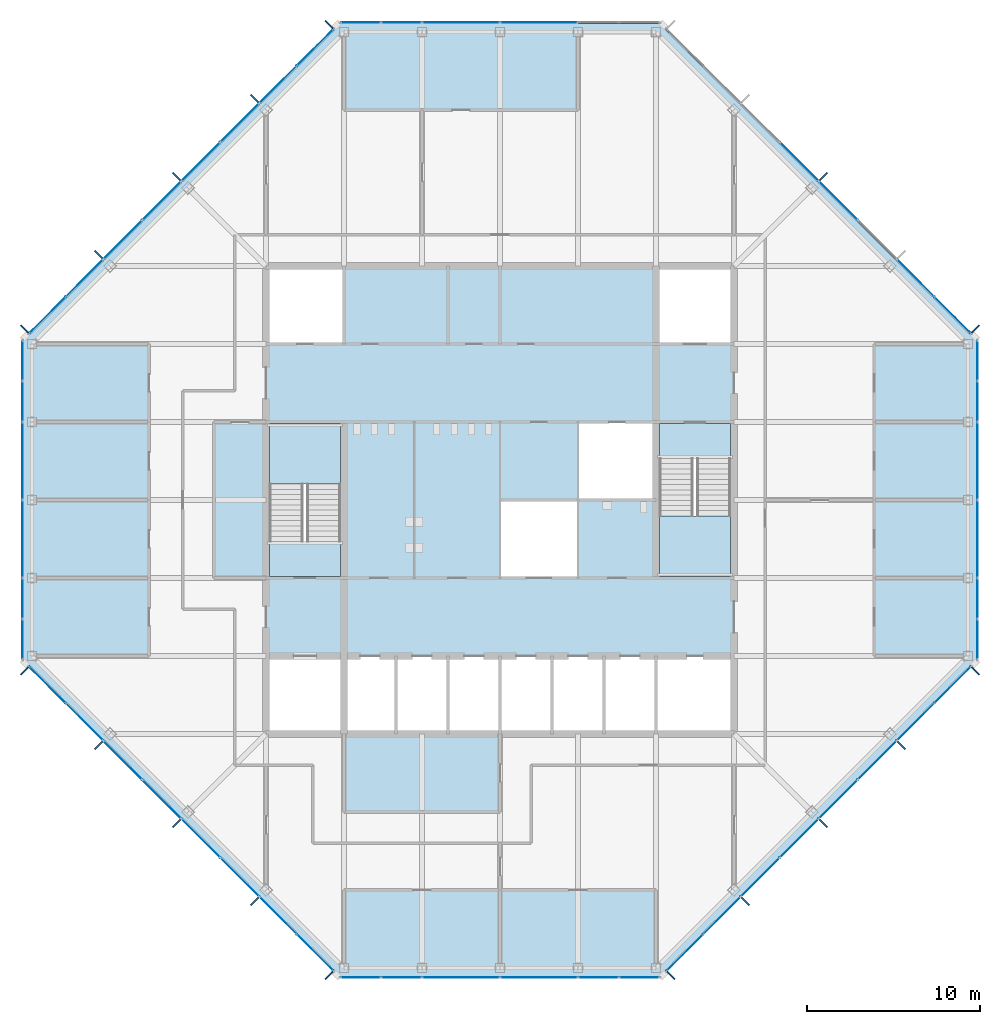
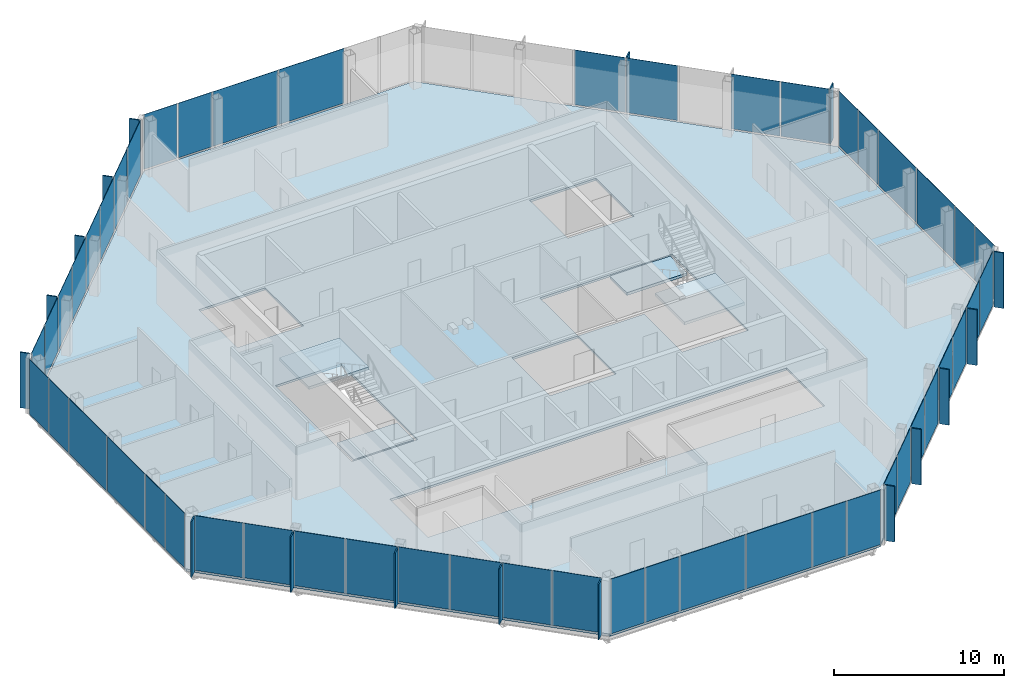
# One storey, part 8 of 14: 67 plates, 5 slabs, 10 elements without a shape of their own.
"""IFC4 building model written with IfcOpenShell, lengths in metres."""

from ifc_helpers import new_model, si_unit, direction, frame, origin, origin_2d, place, context, subcontext, project, spatial, polyline, rectangle, outline, extrude, material, layer, layer_set, type_object, element, aggregate, save


model = new_model("IFC4")

# Units and contexts
model_context = context("Model", 3, precision=1e-05, world=origin(), true_north=direction((0.0, 1.0)))
body_context = subcontext(model_context, "Body", "Model", "MODEL_VIEW")
ifc_project = project(units=[si_unit("LENGTHUNIT", "METRE"), si_unit("AREAUNIT", "SQUARE_METRE"), si_unit("VOLUMEUNIT", "CUBIC_METRE"), si_unit("PLANEANGLEUNIT", "RADIAN"), si_unit("MASSUNIT", "GRAM", prefix="KILO")], contexts=[model_context])

# Site, building, storey
site_placement = place(None, origin())
site = spatial("IfcSite", under=ifc_project, at=site_placement, CompositionType="ELEMENT")
building_placement = place(site_placement, origin())
building = spatial("IfcBuilding", under=site, at=building_placement, Name="Corais Broadcast Tower", CompositionType="ELEMENT")
storey_placement = place(building_placement, frame((0.0, 0.0, 294.60009765625)))
storey = spatial("IfcBuildingStorey", under=building, at=storey_placement, Name="L69", CompositionType="ELEMENT", Elevation=294.60009765625)

# Slab
ifc_material_1 = material(Name="Concrete C30/37", Category="concrete")
ifc_layer_1 = layer(ifc_material_1, 0.159912109375)
ifc_layer_set_1 = layer_set([ifc_layer_1], Name="Concrete C30/37")
slab_type_1 = type_object("IfcSlabType", Name="Composite floor slab 160", PredefinedType="FLOOR", material=ifc_layer_set_1)
slab_1_placement = place(storey_placement, frame((0.0, 0.0, -0.16015625)))
element("IfcSlab", 1, at=slab_1_placement, inside=storey, type_object=slab_type_1, Name="S160 floor slab L69", PredefinedType="FLOOR", context=body_context, shape_type="SweptSolid", body=[
    extrude(outline(polyline([(17.80126953125, -0.47998046875), (-0.47998046875, 17.80126953125), (-0.47998046875, 36.19873046875), (17.80126953125, 54.47998046875), (36.19873046875, 54.47998046875), (54.47998046875, 36.19873046875), (54.47998046875, 17.80126953125), (36.19873046875, -0.47998046875), (17.80126953125, -0.47998046875)]), holes=[polyline([(13.5, 18.0), (40.5, 18.0), (40.5, 13.5), (13.5, 13.5), (13.5, 18.0)]), polyline([(18.0, 22.5), (13.5, 22.5), (13.5, 31.5), (18.0, 31.5), (18.0, 22.5)]), polyline([(18.0, 36.0), (13.5, 36.0), (13.5, 40.5), (18.0, 40.5), (18.0, 36.0)]), polyline([(31.5, 22.5), (27.0, 22.5), (27.0, 27.0), (31.4951171875, 27.0), (31.4951171875, 27.0048828125), (31.5, 27.0048828125), (31.5, 31.5), (40.5, 31.5), (40.5, 22.5), (36.0, 22.5), (36.0, 27.0), (31.5048828125, 27.0), (31.5048828125, 26.9951171875), (31.5, 26.9951171875), (31.5, 22.5)]), polyline([(40.5, 36.0), (36.0, 36.0), (36.0, 40.5), (40.5, 40.5), (40.5, 36.0)])]), origin(), (0.0, 0.0, 1.0), 0.16015625),
])

# Curtain wall, plates
ifc_material_2 = material(Name="Aluminium and glass", Category="aluminium")
curtain_wall_type = type_object("IfcCurtainWallType", Name="Unitised fritted curtain wall CW3", PredefinedType="NOTDEFINED", material=ifc_material_2)
curtain_wall_1_placement = place(storey_placement, origin())
curtain_wall_1 = element("IfcCurtainWall", 2, at=curtain_wall_1_placement, inside=storey, type_object=curtain_wall_type, Name="CW3 curtain wall L69 1", PredefinedType="NOTDEFINED")
ifc_material_3 = material(Name="Ceramic-fritted laminated glass", Category="glass")
ifc_layer_2 = layer(ifc_material_3, 0.02587890625)
ifc_layer_set_2 = layer_set([ifc_layer_2], Name="Ceramic-fritted laminated glass")
plate_type_1 = type_object("IfcPlateType", Name="Fritted glass panel CW3", PredefinedType="CURTAIN_PANEL", material=ifc_layer_set_2)
plate_1_placement = place(storey_placement, frame((16.330322265625, 0.891845703125, 0.06494140625), z_axis=(0.0, 0.0, 1.0), x_axis=(-0.707106781187, 0.707106781187, 0.0)))
plate_1 = element("IfcPlate", 3, at=plate_1_placement, type_object=plate_type_1, Name="CW3 panel 1", PredefinedType="CURTAIN_PANEL", context=body_context, shape_type="SweptSolid", body=[
    extrude(rectangle(XDim=2.9482421875, YDim=0.02587890625, at=origin_2d()), origin(), (0.0, 0.0, 1.0), 3.93505859375),
])
plate_2_placement = place(storey_placement, frame((11.986083984375, 5.236083984375, 0.06494140625), z_axis=(0.0, 0.0, 1.0), x_axis=(-0.707106781187, 0.707106781187, 0.0)))
plate_2 = element("IfcPlate", 4, at=plate_2_placement, type_object=plate_type_1, Name="CW3 panel 3", PredefinedType="CURTAIN_PANEL", context=body_context, shape_type="SweptSolid", body=[
    extrude(rectangle(XDim=3.116943359375, YDim=0.02587890625, at=origin_2d()), origin(), (0.0, 0.0, 1.0), 3.93505859375),
])
plate_3_placement = place(storey_placement, frame((7.486083984375, 9.736083984375, 0.06494140625), z_axis=(0.0, 0.0, 1.0), x_axis=(-0.707106781187, 0.707106781187, 0.0)))
plate_3 = element("IfcPlate", 5, at=plate_3_placement, type_object=plate_type_1, Name="CW3 panel 5", PredefinedType="CURTAIN_PANEL", context=body_context, shape_type="SweptSolid", body=[
    extrude(rectangle(XDim=3.116943359375, YDim=0.02587890625, at=origin_2d()), origin(), (0.0, 0.0, 1.0), 3.93505859375),
])
plate_4_placement = place(storey_placement, frame((3.0341796875, 14.18798828125, 0.06494140625), z_axis=(0.0, 0.0, 1.0), x_axis=(-0.707106781187, 0.707106781187, 0.0)))
plate_4 = element("IfcPlate", 6, at=plate_4_placement, type_object=plate_type_1, Name="CW3 panel 7", PredefinedType="CURTAIN_PANEL", context=body_context, shape_type="SweptSolid", body=[
    extrude(rectangle(XDim=2.98095703125, YDim=0.02587890625, at=origin_2d()), origin(), (0.0, 0.0, 1.0), 3.93505859375),
])

curtain_wall_2_placement = place(storey_placement, origin())
curtain_wall_2 = element("IfcCurtainWall", 7, at=curtain_wall_2_placement, inside=storey, type_object=curtain_wall_type, Name="CW3 curtain wall L69 2", PredefinedType="NOTDEFINED")
plate_5_placement = place(storey_placement, frame((-0.550048828125, 18.970458984375, 0.06494140625), z_axis=(0.0, 0.0, 1.0), x_axis=(0.0, 1.0, 0.0)))
plate_5 = element("IfcPlate", 8, at=plate_5_placement, type_object=plate_type_1, Name="CW3 panel 1", PredefinedType="CURTAIN_PANEL", context=body_context, shape_type="SweptSolid", body=[
    extrude(rectangle(XDim=2.266357421875, YDim=0.02587890625, at=origin_2d()), origin(), (0.0, 0.0, 1.0), 3.93505859375),
])
plate_6_placement = place(storey_placement, frame((-0.550048828125, 24.75, 0.06494140625), z_axis=(0.0, 0.0, 1.0), x_axis=(0.0, 1.0, 0.0)))
plate_6 = element("IfcPlate", 9, at=plate_6_placement, type_object=plate_type_1, Name="CW3 panel 3", PredefinedType="CURTAIN_PANEL", context=body_context, shape_type="SweptSolid", body=[
    extrude(rectangle(XDim=4.43505859375, YDim=0.02587890625, at=origin_2d()), origin(), (0.0, 0.0, 1.0), 3.93505859375),
])
plate_7_placement = place(storey_placement, frame((-0.550048828125, 32.681884765625, 0.06494140625), z_axis=(0.0, 0.0, 1.0), x_axis=(0.0, 1.0, 0.0)))
plate_7 = element("IfcPlate", 10, at=plate_7_placement, type_object=plate_type_1, Name="CW3 panel 5", PredefinedType="CURTAIN_PANEL", context=body_context, shape_type="SweptSolid", body=[
    extrude(rectangle(XDim=2.298828125, YDim=0.02587890625, at=origin_2d()), origin(), (0.0, 0.0, 1.0), 3.93505859375),
])

curtain_wall_3_placement = place(storey_placement, origin())
curtain_wall_3 = element("IfcCurtainWall", 11, at=curtain_wall_3_placement, inside=storey, type_object=curtain_wall_type, Name="CW3 curtain wall L69 3", PredefinedType="NOTDEFINED")
plate_8_placement = place(storey_placement, frame((0.891845703125, 37.669677734375, 0.06494140625), z_axis=(0.0, 0.0, 1.0), x_axis=(0.707106781187, 0.707106781187, 0.0)))
plate_8 = element("IfcPlate", 12, at=plate_8_placement, type_object=plate_type_1, Name="CW3 panel 1", PredefinedType="CURTAIN_PANEL", context=body_context, shape_type="SweptSolid", body=[
    extrude(rectangle(XDim=2.9482421875, YDim=0.02587890625, at=origin_2d()), origin(), (0.0, 0.0, 1.0), 3.93505859375),
])
plate_9_placement = place(storey_placement, frame((5.236083984375, 42.013916015625, 0.06494140625), z_axis=(0.0, 0.0, 1.0), x_axis=(0.707106781187, 0.707106781187, 0.0)))
plate_9 = element("IfcPlate", 13, at=plate_9_placement, type_object=plate_type_1, Name="CW3 panel 3", PredefinedType="CURTAIN_PANEL", context=body_context, shape_type="SweptSolid", body=[
    extrude(rectangle(XDim=3.116943359375, YDim=0.02587890625, at=origin_2d()), origin(), (0.0, 0.0, 1.0), 3.93505859375),
])
plate_10_placement = place(storey_placement, frame((9.736083984375, 46.513916015625, 0.06494140625), z_axis=(0.0, 0.0, 1.0), x_axis=(0.707106781187, 0.707106781187, 0.0)))
plate_10 = element("IfcPlate", 14, at=plate_10_placement, type_object=plate_type_1, Name="CW3 panel 5", PredefinedType="CURTAIN_PANEL", context=body_context, shape_type="SweptSolid", body=[
    extrude(rectangle(XDim=3.116943359375, YDim=0.02587890625, at=origin_2d()), origin(), (0.0, 0.0, 1.0), 3.93505859375),
])
plate_11_placement = place(storey_placement, frame((14.18798828125, 50.9658203125, 0.06494140625), z_axis=(0.0, 0.0, 1.0), x_axis=(0.707106781187, 0.707106781187, 0.0)))
plate_11 = element("IfcPlate", 15, at=plate_11_placement, type_object=plate_type_1, Name="CW3 panel 7", PredefinedType="CURTAIN_PANEL", context=body_context, shape_type="SweptSolid", body=[
    extrude(rectangle(XDim=2.98095703125, YDim=0.02587890625, at=origin_2d()), origin(), (0.0, 0.0, 1.0), 3.93505859375),
])

curtain_wall_4_placement = place(storey_placement, origin())
curtain_wall_4 = element("IfcCurtainWall", 16, at=curtain_wall_4_placement, inside=storey, type_object=curtain_wall_type, Name="CW3 curtain wall L69 4", PredefinedType="NOTDEFINED")
plate_12_placement = place(storey_placement, frame((18.970458984375, 54.550048828125, 0.06494140625), z_axis=(0.0, 0.0, 1.0), x_axis=(1.0, 0.0, 0.0)))
plate_12 = element("IfcPlate", 17, at=plate_12_placement, type_object=plate_type_1, Name="CW3 panel 1", PredefinedType="CURTAIN_PANEL", context=body_context, shape_type="SweptSolid", body=[
    extrude(rectangle(XDim=2.266357421875, YDim=0.02587890625, at=origin_2d()), origin(), (0.0, 0.0, 1.0), 3.93505859375),
])
plate_13_placement = place(storey_placement, frame((24.75, 54.550048828125, 0.06494140625), z_axis=(0.0, 0.0, 1.0), x_axis=(1.0, 0.0, 0.0)))
plate_13 = element("IfcPlate", 18, at=plate_13_placement, type_object=plate_type_1, Name="CW3 panel 3", PredefinedType="CURTAIN_PANEL", context=body_context, shape_type="SweptSolid", body=[
    extrude(rectangle(XDim=4.43505859375, YDim=0.02587890625, at=origin_2d()), origin(), (0.0, 0.0, 1.0), 3.93505859375),
])

curtain_wall_5_placement = place(storey_placement, origin())
curtain_wall_5 = element("IfcCurtainWall", 19, at=curtain_wall_5_placement, inside=storey, type_object=curtain_wall_type, Name="CW3 curtain wall L69 5", PredefinedType="NOTDEFINED")
plate_14_placement = place(storey_placement, frame((46.513916015625, 44.263916015625, 0.06494140625), z_axis=(0.0, 0.0, 1.0), x_axis=(0.707106781187, -0.707106781187, 0.0)))
plate_14 = element("IfcPlate", 20, at=plate_14_placement, type_object=plate_type_1, Name="CW3 panel 5", PredefinedType="CURTAIN_PANEL", context=body_context, shape_type="SweptSolid", body=[
    extrude(rectangle(XDim=3.116943359375, YDim=0.02587890625, at=origin_2d()), origin(), (0.0, 0.0, 1.0), 3.93505859375),
])
plate_15_placement = place(storey_placement, frame((50.9658203125, 39.81201171875, 0.06494140625), z_axis=(0.0, 0.0, 1.0), x_axis=(0.707106781187, -0.707106781187, 0.0)))
plate_15 = element("IfcPlate", 21, at=plate_15_placement, type_object=plate_type_1, Name="CW3 panel 7", PredefinedType="CURTAIN_PANEL", context=body_context, shape_type="SweptSolid", body=[
    extrude(rectangle(XDim=2.98095703125, YDim=0.02587890625, at=origin_2d()), origin(), (0.0, 0.0, 1.0), 3.93505859375),
])

curtain_wall_6_placement = place(storey_placement, origin())
curtain_wall_6 = element("IfcCurtainWall", 22, at=curtain_wall_6_placement, inside=storey, type_object=curtain_wall_type, Name="CW3 curtain wall L69 6", PredefinedType="NOTDEFINED")
plate_16_placement = place(storey_placement, frame((54.550048828125, 35.029541015625, 0.06494140625), z_axis=(0.0, 0.0, 1.0), x_axis=(0.0, -1.0, 0.0)))
plate_16 = element("IfcPlate", 23, at=plate_16_placement, type_object=plate_type_1, Name="CW3 panel 1", PredefinedType="CURTAIN_PANEL", context=body_context, shape_type="SweptSolid", body=[
    extrude(rectangle(XDim=2.266357421875, YDim=0.02587890625, at=origin_2d()), origin(), (0.0, 0.0, 1.0), 3.93505859375),
])
plate_17_placement = place(storey_placement, frame((54.550048828125, 29.25, 0.06494140625), z_axis=(0.0, 0.0, 1.0), x_axis=(0.0, -1.0, 0.0)))
plate_17 = element("IfcPlate", 24, at=plate_17_placement, type_object=plate_type_1, Name="CW3 panel 3", PredefinedType="CURTAIN_PANEL", context=body_context, shape_type="SweptSolid", body=[
    extrude(rectangle(XDim=4.43505859375, YDim=0.02587890625, at=origin_2d()), origin(), (0.0, 0.0, 1.0), 3.93505859375),
])
plate_18_placement = place(storey_placement, frame((54.550048828125, 21.318115234375, 0.06494140625), z_axis=(0.0, 0.0, 1.0), x_axis=(0.0, -1.0, 0.0)))
plate_18 = element("IfcPlate", 25, at=plate_18_placement, type_object=plate_type_1, Name="CW3 panel 5", PredefinedType="CURTAIN_PANEL", context=body_context, shape_type="SweptSolid", body=[
    extrude(rectangle(XDim=2.298828125, YDim=0.02587890625, at=origin_2d()), origin(), (0.0, 0.0, 1.0), 3.93505859375),
])

curtain_wall_7_placement = place(storey_placement, origin())
curtain_wall_7 = element("IfcCurtainWall", 26, at=curtain_wall_7_placement, inside=storey, type_object=curtain_wall_type, Name="CW3 curtain wall L69 7", PredefinedType="NOTDEFINED")
plate_19_placement = place(storey_placement, frame((53.108154296875, 16.330322265625, 0.06494140625), z_axis=(0.0, 0.0, 1.0), x_axis=(-0.707106781187, -0.707106781187, 0.0)))
plate_19 = element("IfcPlate", 27, at=plate_19_placement, type_object=plate_type_1, Name="CW3 panel 1", PredefinedType="CURTAIN_PANEL", context=body_context, shape_type="SweptSolid", body=[
    extrude(rectangle(XDim=2.9482421875, YDim=0.02587890625, at=origin_2d()), origin(), (0.0, 0.0, 1.0), 3.93505859375),
])
plate_20_placement = place(storey_placement, frame((48.763916015625, 11.986083984375, 0.06494140625), z_axis=(0.0, 0.0, 1.0), x_axis=(-0.707106781187, -0.707106781187, 0.0)))
plate_20 = element("IfcPlate", 28, at=plate_20_placement, type_object=plate_type_1, Name="CW3 panel 3", PredefinedType="CURTAIN_PANEL", context=body_context, shape_type="SweptSolid", body=[
    extrude(rectangle(XDim=3.116943359375, YDim=0.02587890625, at=origin_2d()), origin(), (0.0, 0.0, 1.0), 3.93505859375),
])
plate_21_placement = place(storey_placement, frame((44.263916015625, 7.486083984375, 0.06494140625), z_axis=(0.0, 0.0, 1.0), x_axis=(-0.707106781187, -0.707106781187, 0.0)))
plate_21 = element("IfcPlate", 29, at=plate_21_placement, type_object=plate_type_1, Name="CW3 panel 5", PredefinedType="CURTAIN_PANEL", context=body_context, shape_type="SweptSolid", body=[
    extrude(rectangle(XDim=3.116943359375, YDim=0.02587890625, at=origin_2d()), origin(), (0.0, 0.0, 1.0), 3.93505859375),
])
plate_22_placement = place(storey_placement, frame((39.81201171875, 3.0341796875, 0.06494140625), z_axis=(0.0, 0.0, 1.0), x_axis=(-0.707106781187, -0.707106781187, 0.0)))
plate_22 = element("IfcPlate", 30, at=plate_22_placement, type_object=plate_type_1, Name="CW3 panel 7", PredefinedType="CURTAIN_PANEL", context=body_context, shape_type="SweptSolid", body=[
    extrude(rectangle(XDim=2.98095703125, YDim=0.02587890625, at=origin_2d()), origin(), (0.0, 0.0, 1.0), 3.93505859375),
])

curtain_wall_8_placement = place(storey_placement, origin())
curtain_wall_8 = element("IfcCurtainWall", 31, at=curtain_wall_8_placement, inside=storey, type_object=curtain_wall_type, Name="CW3 curtain wall L69 8", PredefinedType="NOTDEFINED")
plate_23_placement = place(storey_placement, frame((35.029541015625, -0.550048828125, 0.06494140625), z_axis=(0.0, 0.0, 1.0), x_axis=(-1.0, 0.0, 0.0)))
plate_23 = element("IfcPlate", 32, at=plate_23_placement, type_object=plate_type_1, Name="CW3 panel 1", PredefinedType="CURTAIN_PANEL", context=body_context, shape_type="SweptSolid", body=[
    extrude(rectangle(XDim=2.266357421875, YDim=0.02587890625, at=origin_2d()), origin(), (0.0, 0.0, 1.0), 3.93505859375),
])
plate_24_placement = place(storey_placement, frame((29.25, -0.550048828125, 0.06494140625), z_axis=(0.0, 0.0, 1.0), x_axis=(-1.0, 0.0, 0.0)))
plate_24 = element("IfcPlate", 33, at=plate_24_placement, type_object=plate_type_1, Name="CW3 panel 3", PredefinedType="CURTAIN_PANEL", context=body_context, shape_type="SweptSolid", body=[
    extrude(rectangle(XDim=4.43505859375, YDim=0.02587890625, at=origin_2d()), origin(), (0.0, 0.0, 1.0), 3.93505859375),
])
plate_25_placement = place(storey_placement, frame((21.318115234375, -0.550048828125, 0.06494140625), z_axis=(0.0, 0.0, 1.0), x_axis=(-1.0, 0.0, 0.0)))
plate_25 = element("IfcPlate", 34, at=plate_25_placement, type_object=plate_type_1, Name="CW3 panel 5", PredefinedType="CURTAIN_PANEL", context=body_context, shape_type="SweptSolid", body=[
    extrude(rectangle(XDim=2.298828125, YDim=0.02587890625, at=origin_2d()), origin(), (0.0, 0.0, 1.0), 3.93505859375),
])

# Plate
ifc_material_4 = material(Name="Clear laminated glass", Category="glass")
ifc_layer_3 = layer(ifc_material_4, 0.030029296875)
ifc_layer_set_3 = layer_set([ifc_layer_3], Name="Clear laminated glass")
plate_type_2 = type_object("IfcPlateType", Name="Operable glass panel CW3", PredefinedType="CURTAIN_PANEL", material=ifc_layer_set_3)
plate_26_placement = place(storey_placement, frame((14.18798828125, 3.0341796875, 0.06494140625), z_axis=(0.0, 0.0, 1.0), x_axis=(-0.707106781187, 0.707106781187, 0.0)))
plate_26 = element("IfcPlate", 35, at=plate_26_placement, type_object=plate_type_2, Name="CW3 operable panel 2", PredefinedType="CURTAIN_PANEL", context=body_context, shape_type="SweptSolid", body=[
    extrude(rectangle(XDim=2.98095703125, YDim=0.030029296875, at=origin_2d()), origin(), (0.0, 0.0, 1.0), 3.93505859375),
])

plate_27_placement = place(storey_placement, frame((9.736083984375, 7.486083984375, 0.06494140625), z_axis=(0.0, 0.0, 1.0), x_axis=(-0.707106781187, 0.707106781187, 0.0)))
plate_27 = element("IfcPlate", 36, at=plate_27_placement, type_object=plate_type_2, Name="CW3 operable panel 4", PredefinedType="CURTAIN_PANEL", context=body_context, shape_type="SweptSolid", body=[
    extrude(rectangle(XDim=3.116943359375, YDim=0.030029296875, at=origin_2d()), origin(), (0.0, 0.0, 1.0), 3.93505859375),
])

plate_28_placement = place(storey_placement, frame((5.236083984375, 11.986083984375, 0.06494140625), z_axis=(0.0, 0.0, 1.0), x_axis=(-0.707106781187, 0.707106781187, 0.0)))
plate_28 = element("IfcPlate", 37, at=plate_28_placement, type_object=plate_type_2, Name="CW3 operable panel 6", PredefinedType="CURTAIN_PANEL", context=body_context, shape_type="SweptSolid", body=[
    extrude(rectangle(XDim=3.116943359375, YDim=0.030029296875, at=origin_2d()), origin(), (0.0, 0.0, 1.0), 3.93505859375),
])

plate_29_placement = place(storey_placement, frame((0.89208984375, 16.330322265625, 0.06494140625), z_axis=(0.0, 0.0, 1.0), x_axis=(-0.707106781187, 0.707106781187, 0.0)))
plate_29 = element("IfcPlate", 38, at=plate_29_placement, type_object=plate_type_2, Name="CW3 operable panel 8", PredefinedType="CURTAIN_PANEL", context=body_context, shape_type="SweptSolid", body=[
    extrude(rectangle(XDim=2.948486328125, YDim=0.030029296875, at=origin_2d()), origin(), (0.0, 0.0, 1.0), 3.93505859375),
])

aggregate(curtain_wall_1, [plate_1, plate_26, plate_2, plate_27, plate_3, plate_28, plate_4, plate_29])

plate_30_placement = place(storey_placement, frame((-0.550048828125, 21.318115234375, 0.06494140625), z_axis=(0.0, 0.0, 1.0), x_axis=(0.0, 1.0, 0.0)))
plate_30 = element("IfcPlate", 39, at=plate_30_placement, type_object=plate_type_2, Name="CW3 operable panel 2", PredefinedType="CURTAIN_PANEL", context=body_context, shape_type="SweptSolid", body=[
    extrude(rectangle(XDim=2.298828125, YDim=0.030029296875, at=origin_2d()), origin(), (0.0, 0.0, 1.0), 3.93505859375),
])

plate_31_placement = place(storey_placement, frame((-0.550048828125, 29.25, 0.06494140625), z_axis=(0.0, 0.0, 1.0), x_axis=(0.0, 1.0, 0.0)))
plate_31 = element("IfcPlate", 40, at=plate_31_placement, type_object=plate_type_2, Name="CW3 operable panel 4", PredefinedType="CURTAIN_PANEL", context=body_context, shape_type="SweptSolid", body=[
    extrude(rectangle(XDim=4.43505859375, YDim=0.030029296875, at=origin_2d()), origin(), (0.0, 0.0, 1.0), 3.93505859375),
])

plate_32_placement = place(storey_placement, frame((-0.550048828125, 35.029541015625, 0.06494140625), z_axis=(0.0, 0.0, 1.0), x_axis=(0.0, 1.0, 0.0)))
plate_32 = element("IfcPlate", 41, at=plate_32_placement, type_object=plate_type_2, Name="CW3 operable panel 6", PredefinedType="CURTAIN_PANEL", context=body_context, shape_type="SweptSolid", body=[
    extrude(rectangle(XDim=2.266357421875, YDim=0.030029296875, at=origin_2d()), origin(), (0.0, 0.0, 1.0), 3.93505859375),
])

aggregate(curtain_wall_2, [plate_5, plate_30, plate_6, plate_31, plate_7, plate_32])

plate_33_placement = place(storey_placement, frame((3.0341796875, 39.81201171875, 0.06494140625), z_axis=(0.0, 0.0, 1.0), x_axis=(0.707106781187, 0.707106781187, 0.0)))
plate_33 = element("IfcPlate", 42, at=plate_33_placement, type_object=plate_type_2, Name="CW3 operable panel 2", PredefinedType="CURTAIN_PANEL", context=body_context, shape_type="SweptSolid", body=[
    extrude(rectangle(XDim=2.98095703125, YDim=0.030029296875, at=origin_2d()), origin(), (0.0, 0.0, 1.0), 3.93505859375),
])

plate_34_placement = place(storey_placement, frame((7.486083984375, 44.263916015625, 0.06494140625), z_axis=(0.0, 0.0, 1.0), x_axis=(0.707106781187, 0.707106781187, 0.0)))
plate_34 = element("IfcPlate", 43, at=plate_34_placement, type_object=plate_type_2, Name="CW3 operable panel 4", PredefinedType="CURTAIN_PANEL", context=body_context, shape_type="SweptSolid", body=[
    extrude(rectangle(XDim=3.116943359375, YDim=0.030029296875, at=origin_2d()), origin(), (0.0, 0.0, 1.0), 3.93505859375),
])

plate_35_placement = place(storey_placement, frame((11.986083984375, 48.763916015625, 0.06494140625), z_axis=(0.0, 0.0, 1.0), x_axis=(0.707106781187, 0.707106781187, 0.0)))
plate_35 = element("IfcPlate", 44, at=plate_35_placement, type_object=plate_type_2, Name="CW3 operable panel 6", PredefinedType="CURTAIN_PANEL", context=body_context, shape_type="SweptSolid", body=[
    extrude(rectangle(XDim=3.116943359375, YDim=0.030029296875, at=origin_2d()), origin(), (0.0, 0.0, 1.0), 3.93505859375),
])

plate_36_placement = place(storey_placement, frame((16.330322265625, 53.10791015625, 0.06494140625), z_axis=(0.0, 0.0, 1.0), x_axis=(0.707106781187, 0.707106781187, 0.0)))
plate_36 = element("IfcPlate", 45, at=plate_36_placement, type_object=plate_type_2, Name="CW3 operable panel 8", PredefinedType="CURTAIN_PANEL", context=body_context, shape_type="SweptSolid", body=[
    extrude(rectangle(XDim=2.948486328125, YDim=0.030029296875, at=origin_2d()), origin(), (0.0, 0.0, 1.0), 3.93505859375),
])

aggregate(curtain_wall_3, [plate_8, plate_33, plate_9, plate_34, plate_10, plate_35, plate_11, plate_36])

plate_37_placement = place(storey_placement, frame((21.318115234375, 54.550048828125, 0.06494140625), z_axis=(0.0, 0.0, 1.0), x_axis=(1.0, 0.0, 0.0)))
plate_37 = element("IfcPlate", 46, at=plate_37_placement, type_object=plate_type_2, Name="CW3 operable panel 2", PredefinedType="CURTAIN_PANEL", context=body_context, shape_type="SweptSolid", body=[
    extrude(rectangle(XDim=2.298828125, YDim=0.030029296875, at=origin_2d()), origin(), (0.0, 0.0, 1.0), 3.93505859375),
])

plate_38_placement = place(storey_placement, frame((29.25, 54.550048828125, 0.06494140625), z_axis=(0.0, 0.0, 1.0), x_axis=(1.0, 0.0, 0.0)))
plate_38 = element("IfcPlate", 47, at=plate_38_placement, type_object=plate_type_2, Name="CW3 operable panel 4", PredefinedType="CURTAIN_PANEL", context=body_context, shape_type="SweptSolid", body=[
    extrude(rectangle(XDim=4.43505859375, YDim=0.030029296875, at=origin_2d()), origin(), (0.0, 0.0, 1.0), 3.93505859375),
])

aggregate(curtain_wall_4, [plate_12, plate_37, plate_13, plate_38])

plate_39_placement = place(storey_placement, frame((44.263916015625, 46.513916015625, 0.06494140625), z_axis=(0.0, 0.0, 1.0), x_axis=(0.707106781187, -0.707106781187, 0.0)))
plate_39 = element("IfcPlate", 48, at=plate_39_placement, type_object=plate_type_2, Name="CW3 operable panel 4", PredefinedType="CURTAIN_PANEL", context=body_context, shape_type="SweptSolid", body=[
    extrude(rectangle(XDim=3.116943359375, YDim=0.030029296875, at=origin_2d()), origin(), (0.0, 0.0, 1.0), 3.93505859375),
])

plate_40_placement = place(storey_placement, frame((53.10791015625, 37.669677734375, 0.06494140625), z_axis=(0.0, 0.0, 1.0), x_axis=(0.707106781187, -0.707106781187, 0.0)))
plate_40 = element("IfcPlate", 49, at=plate_40_placement, type_object=plate_type_2, Name="CW3 operable panel 8", PredefinedType="CURTAIN_PANEL", context=body_context, shape_type="SweptSolid", body=[
    extrude(rectangle(XDim=2.948486328125, YDim=0.030029296875, at=origin_2d()), origin(), (0.0, 0.0, 1.0), 3.93505859375),
])

aggregate(curtain_wall_5, [plate_39, plate_14, plate_15, plate_40])

plate_41_placement = place(storey_placement, frame((54.550048828125, 32.681884765625, 0.06494140625), z_axis=(0.0, 0.0, 1.0), x_axis=(0.0, -1.0, 0.0)))
plate_41 = element("IfcPlate", 50, at=plate_41_placement, type_object=plate_type_2, Name="CW3 operable panel 2", PredefinedType="CURTAIN_PANEL", context=body_context, shape_type="SweptSolid", body=[
    extrude(rectangle(XDim=2.298828125, YDim=0.030029296875, at=origin_2d()), origin(), (0.0, 0.0, 1.0), 3.93505859375),
])

plate_42_placement = place(storey_placement, frame((54.550048828125, 24.75, 0.06494140625), z_axis=(0.0, 0.0, 1.0), x_axis=(0.0, -1.0, 0.0)))
plate_42 = element("IfcPlate", 51, at=plate_42_placement, type_object=plate_type_2, Name="CW3 operable panel 4", PredefinedType="CURTAIN_PANEL", context=body_context, shape_type="SweptSolid", body=[
    extrude(rectangle(XDim=4.43505859375, YDim=0.030029296875, at=origin_2d()), origin(), (0.0, 0.0, 1.0), 3.93505859375),
])

plate_43_placement = place(storey_placement, frame((54.550048828125, 18.970458984375, 0.06494140625), z_axis=(0.0, 0.0, 1.0), x_axis=(0.0, -1.0, 0.0)))
plate_43 = element("IfcPlate", 52, at=plate_43_placement, type_object=plate_type_2, Name="CW3 operable panel 6", PredefinedType="CURTAIN_PANEL", context=body_context, shape_type="SweptSolid", body=[
    extrude(rectangle(XDim=2.266357421875, YDim=0.030029296875, at=origin_2d()), origin(), (0.0, 0.0, 1.0), 3.93505859375),
])

aggregate(curtain_wall_6, [plate_16, plate_41, plate_17, plate_42, plate_18, plate_43])

plate_44_placement = place(storey_placement, frame((50.9658203125, 14.18798828125, 0.06494140625), z_axis=(0.0, 0.0, 1.0), x_axis=(-0.707106781187, -0.707106781187, 0.0)))
plate_44 = element("IfcPlate", 53, at=plate_44_placement, type_object=plate_type_2, Name="CW3 operable panel 2", PredefinedType="CURTAIN_PANEL", context=body_context, shape_type="SweptSolid", body=[
    extrude(rectangle(XDim=2.98095703125, YDim=0.030029296875, at=origin_2d()), origin(), (0.0, 0.0, 1.0), 3.93505859375),
])

plate_45_placement = place(storey_placement, frame((46.513916015625, 9.736083984375, 0.06494140625), z_axis=(0.0, 0.0, 1.0), x_axis=(-0.707106781187, -0.707106781187, 0.0)))
plate_45 = element("IfcPlate", 54, at=plate_45_placement, type_object=plate_type_2, Name="CW3 operable panel 4", PredefinedType="CURTAIN_PANEL", context=body_context, shape_type="SweptSolid", body=[
    extrude(rectangle(XDim=3.116943359375, YDim=0.030029296875, at=origin_2d()), origin(), (0.0, 0.0, 1.0), 3.93505859375),
])

plate_46_placement = place(storey_placement, frame((42.013916015625, 5.236083984375, 0.06494140625), z_axis=(0.0, 0.0, 1.0), x_axis=(-0.707106781187, -0.707106781187, 0.0)))
plate_46 = element("IfcPlate", 55, at=plate_46_placement, type_object=plate_type_2, Name="CW3 operable panel 6", PredefinedType="CURTAIN_PANEL", context=body_context, shape_type="SweptSolid", body=[
    extrude(rectangle(XDim=3.116943359375, YDim=0.030029296875, at=origin_2d()), origin(), (0.0, 0.0, 1.0), 3.93505859375),
])

plate_47_placement = place(storey_placement, frame((37.669677734375, 0.89208984375, 0.06494140625), z_axis=(0.0, 0.0, 1.0), x_axis=(-0.707106781187, -0.707106781187, 0.0)))
plate_47 = element("IfcPlate", 56, at=plate_47_placement, type_object=plate_type_2, Name="CW3 operable panel 8", PredefinedType="CURTAIN_PANEL", context=body_context, shape_type="SweptSolid", body=[
    extrude(rectangle(XDim=2.948486328125, YDim=0.030029296875, at=origin_2d()), origin(), (0.0, 0.0, 1.0), 3.93505859375),
])

aggregate(curtain_wall_7, [plate_19, plate_44, plate_20, plate_45, plate_21, plate_46, plate_22, plate_47])

plate_48_placement = place(storey_placement, frame((32.681884765625, -0.550048828125, 0.06494140625), z_axis=(0.0, 0.0, 1.0), x_axis=(-1.0, 0.0, 0.0)))
plate_48 = element("IfcPlate", 57, at=plate_48_placement, type_object=plate_type_2, Name="CW3 operable panel 2", PredefinedType="CURTAIN_PANEL", context=body_context, shape_type="SweptSolid", body=[
    extrude(rectangle(XDim=2.298828125, YDim=0.030029296875, at=origin_2d()), origin(), (0.0, 0.0, 1.0), 3.93505859375),
])

plate_49_placement = place(storey_placement, frame((24.75, -0.550048828125, 0.06494140625), z_axis=(0.0, 0.0, 1.0), x_axis=(-1.0, 0.0, 0.0)))
plate_49 = element("IfcPlate", 58, at=plate_49_placement, type_object=plate_type_2, Name="CW3 operable panel 4", PredefinedType="CURTAIN_PANEL", context=body_context, shape_type="SweptSolid", body=[
    extrude(rectangle(XDim=4.43505859375, YDim=0.030029296875, at=origin_2d()), origin(), (0.0, 0.0, 1.0), 3.93505859375),
])

plate_50_placement = place(storey_placement, frame((18.970458984375, -0.550048828125, 0.06494140625), z_axis=(0.0, 0.0, 1.0), x_axis=(-1.0, 0.0, 0.0)))
plate_50 = element("IfcPlate", 59, at=plate_50_placement, type_object=plate_type_2, Name="CW3 operable panel 6", PredefinedType="CURTAIN_PANEL", context=body_context, shape_type="SweptSolid", body=[
    extrude(rectangle(XDim=2.266357421875, YDim=0.030029296875, at=origin_2d()), origin(), (0.0, 0.0, 1.0), 3.93505859375),
])

aggregate(curtain_wall_8, [plate_23, plate_48, plate_24, plate_49, plate_25, plate_50])

# Stair, slabs
ifc_material_5 = material(Name="Concrete C30/37", Category="concrete")
stair_type = type_object("IfcStairType", Name="Half-turn stair 4000", PredefinedType="HALF_TURN_STAIR", material=ifc_material_5)
stair_1_placement = place(storey_placement, origin())
stair_1 = element("IfcStair", 60, at=stair_1_placement, inside=storey, type_object=stair_type, Name="Stair A L69", PredefinedType="HALF_TURN_STAIR")
ifc_material_6 = material(Name="Concrete C30/37", Category="concrete")
ifc_layer_4 = layer(ifc_material_6, 0.199951171875)
ifc_layer_set_4 = layer_set([ifc_layer_4], Name="Concrete C30/37")
slab_type_2 = type_object("IfcSlabType", Name="Stair landing 200", PredefinedType="LANDING", material=ifc_layer_set_4)
slab_2_placement = place(storey_placement, frame((0.0, 0.0, -0.2001953125)))
slab_2 = element("IfcSlab", 61, at=slab_2_placement, type_object=slab_type_2, Name="STA landing 1", PredefinedType="LANDING", context=body_context, shape_type="SweptSolid", body=[
    extrude(outline(polyline([(13.699951171875, 22.60009765625), (17.800048828125, 22.60009765625), (17.800048828125, 24.60009765625), (13.699951171875, 24.60009765625), (13.699951171875, 22.60009765625)])), origin(), (0.0, 0.0, 1.0), 0.2001953125),
])
slab_3_placement = place(storey_placement, frame((0.0, 0.0, 1.7998046875)))
slab_3 = element("IfcSlab", 62, at=slab_3_placement, type_object=slab_type_2, Name="STA landing 2", PredefinedType="LANDING", context=body_context, shape_type="SweptSolid", body=[
    extrude(outline(polyline([(13.699951171875, 27.922119140625), (17.800048828125, 27.922119140625), (17.800048828125, 31.39990234375), (13.699951171875, 31.39990234375), (13.699951171875, 27.922119140625)])), origin(), (0.0, 0.0, 1.0), 0.2001953125),
])
aggregate(stair_1, [slab_2, slab_3])

stair_2_placement = place(storey_placement, origin())
stair_2 = element("IfcStair", 63, at=stair_2_placement, inside=storey, type_object=stair_type, Name="Stair B L69", PredefinedType="HALF_TURN_STAIR")
slab_4_placement = place(storey_placement, frame((0.0, 0.0, -0.2001953125)))
slab_4 = element("IfcSlab", 64, at=slab_4_placement, type_object=slab_type_2, Name="STB landing 1", PredefinedType="LANDING", context=body_context, shape_type="SweptSolid", body=[
    extrude(outline(polyline([(36.199951171875, 29.39990234375), (40.300048828125, 29.39990234375), (40.300048828125, 31.39990234375), (36.199951171875, 31.39990234375), (36.199951171875, 29.39990234375)])), origin(), (0.0, 0.0, 1.0), 0.2001953125),
])
slab_5_placement = place(storey_placement, frame((0.0, 0.0, 1.7998046875)))
slab_5 = element("IfcSlab", 65, at=slab_5_placement, type_object=slab_type_2, Name="STB landing 2", PredefinedType="LANDING", context=body_context, shape_type="SweptSolid", body=[
    extrude(outline(polyline([(36.199951171875, 22.60009765625), (40.300048828125, 22.60009765625), (40.300048828125, 26.077880859375), (36.199951171875, 26.077880859375), (36.199951171875, 22.60009765625)])), origin(), (0.0, 0.0, 1.0), 0.2001953125),
])
aggregate(stair_2, [slab_4, slab_5])

# Plates
ifc_material_7 = material(Name="Granite stone cladding", Category="masonry")
ifc_layer_5 = layer(ifc_material_7, 0.080078125)
ifc_layer_set_5 = layer_set([ifc_layer_5], Name="Granite stone cladding")
plate_type_3 = type_object("IfcPlateType", Name="Stone screen fin 80x600", PredefinedType="USERDEFINED", material=ifc_layer_set_5)
for number, where, z_axis, x_axis, name in (
    (66, (17.129150390625, -0.43994140625, 0.0), (0.0, 0.0, 1.0), (-0.707106781187, 0.707106781187, 0.0), "SF1 stone screen fin L69"),
    (67, (12.844482421875, 3.844482421875, 0.0), (0.0, 0.0, 1.0), (-0.707106781187, 0.707106781187, 0.0), "SF1 stone screen fin L69"),
    (68, (8.344482421875, 8.344482421875, 0.0), (0.0, 0.0, 1.0), (-0.707106781187, 0.707106781187, 0.0), "SF1 stone screen fin L69"),
    (69, (3.844482421875, 12.844482421875, 0.0), (0.0, 0.0, 1.0), (-0.707106781187, 0.707106781187, 0.0), "SF1 stone screen fin L69"),
    (70, (-0.43994140625, 17.129150390625, 0.0), (0.0, 0.0, 1.0), (-0.707106781187, 0.707106781187, 0.0), "SF1 stone screen fin L69"),
    (71, (-0.43994140625, 36.870849609375, 0.0), (0.0, 0.0, 1.0), (0.707106781187, 0.707106781187, 0.0), "SF1 stone screen fin L69"),
    (72, (3.844482421875, 41.155517578125, 0.0), (0.0, 0.0, 1.0), (0.707106781187, 0.707106781187, 0.0), "SF1 stone screen fin L69"),
    (73, (8.344482421875, 45.655517578125, 0.0), (0.0, 0.0, 1.0), (0.707106781187, 0.707106781187, 0.0), "SF1 stone screen fin L69"),
    (74, (12.844482421875, 50.155517578125, 0.0), (0.0, 0.0, 1.0), (0.707106781187, 0.707106781187, 0.0), "SF1 stone screen fin L69"),
    (75, (17.129150390625, 54.43994140625, 0.0), (0.0, 0.0, 1.0), (0.707106781187, 0.707106781187, 0.0), "SF1 stone screen fin L69"),
    (76, (45.655517578125, 45.655517578125, 0.0), (0.0, 0.0, 1.0), (0.707106781187, -0.707106781187, 0.0), "SF1 stone screen fin L69"),
    (77, (54.43994140625, 36.870849609375, 0.0), (0.0, 0.0, 1.0), (0.707106781187, -0.707106781187, 0.0), "SF1 stone screen fin L69"),
    (78, (54.43994140625, 17.129150390625, 0.0), (0.0, 0.0, 1.0), (-0.707106781187, -0.707106781187, 0.0), "SF1 stone screen fin L69"),
    (79, (50.155517578125, 12.844482421875, 0.0), (0.0, 0.0, 1.0), (-0.707106781187, -0.707106781187, 0.0), "SF1 stone screen fin L69"),
    (80, (45.655517578125, 8.344482421875, 0.0), (0.0, 0.0, 1.0), (-0.707106781187, -0.707106781187, 0.0), "SF1 stone screen fin L69"),
    (81, (41.155517578125, 3.844482421875, 0.0), (0.0, 0.0, 1.0), (-0.707106781187, -0.707106781187, 0.0), "SF1 stone screen fin L69"),
    (82, (36.870849609375, -0.43994140625, 0.0), (0.0, 0.0, 1.0), (-0.707106781187, -0.707106781187, 0.0), "SF1 stone screen fin L69"),
):
    element("IfcPlate", number, at=place(storey_placement, frame(where, z_axis=z_axis, x_axis=x_axis)), inside=storey, type_object=plate_type_3, Name=name, ObjectType="STONE SCREEN FIN", PredefinedType="USERDEFINED", context=body_context, shape_type="SweptSolid", body=[
        extrude(rectangle(XDim=0.080078125, YDim=0.60009765625, at=origin_2d()), origin(), (0.0, 0.0, 1.0), 4.0),
    ])

save(model, "model.ifc")
